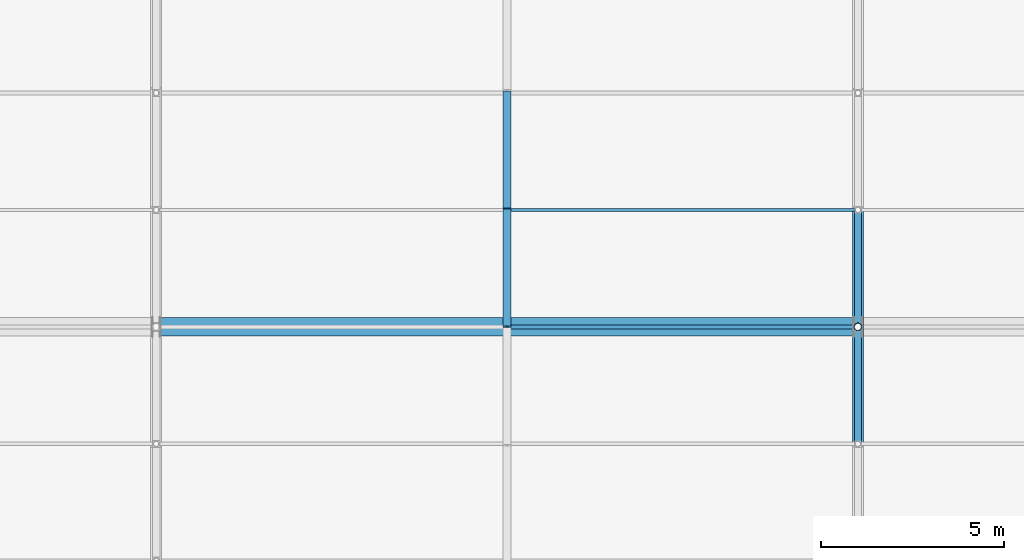
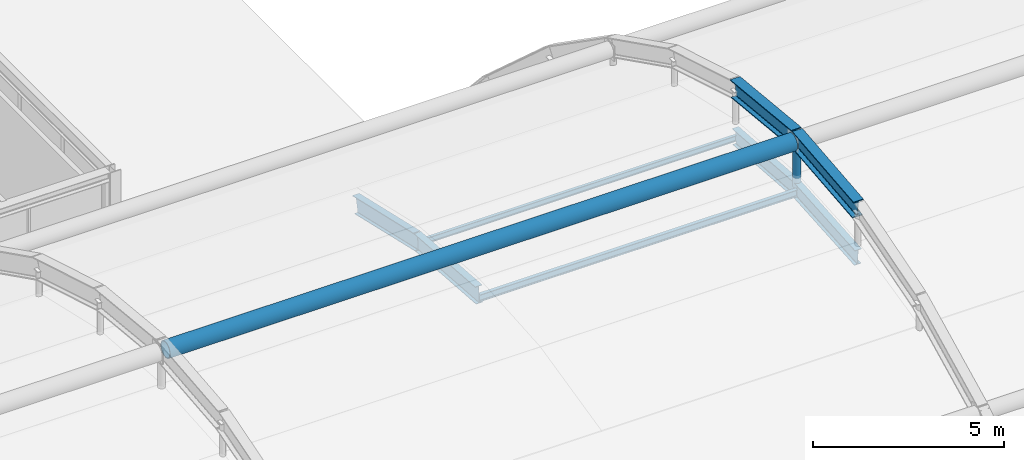
# One storey, part 62 of 126: 6 beams, 4 members.
"""IFC4 building model written with IfcOpenShell, lengths in metres."""

from ifc_helpers import new_model, si_unit, direction, frame, origin, origin_2d, place, context, subcontext, project, spatial, hollow_circle, i_section, extrude, material, material_profile, profile_set, type_object, element, save


model = new_model("IFC4")

# Units and contexts
model_context = context("Model", 3, precision=1e-05, world=origin(), true_north=direction((0.0, 1.0)))
body_context = subcontext(model_context, "Body", "Model", "MODEL_VIEW")
ifc_project = project(units=[si_unit("LENGTHUNIT", "METRE"), si_unit("AREAUNIT", "SQUARE_METRE"), si_unit("VOLUMEUNIT", "CUBIC_METRE"), si_unit("PLANEANGLEUNIT", "RADIAN"), si_unit("MASSUNIT", "GRAM", prefix="KILO")], contexts=[model_context])

# Site, building, storey
site_placement = place(None, origin())
site = spatial("IfcSite", under=ifc_project, at=site_placement, CompositionType="ELEMENT")
building_placement = place(site_placement, origin())
building = spatial("IfcBuilding", under=site, at=building_placement, Name="Coralgate Yard Interchange", CompositionType="ELEMENT")
storey_placement = place(building_placement, frame((0.0, 0.0, 10.5)))
storey = spatial("IfcBuildingStorey", under=building, at=storey_placement, Name="L02", CompositionType="ELEMENT", Elevation=10.5)

# Beams
ifc_material_1 = material(Name="Yellow-ochre weather-coated structural steel S355J2", Category="steel")
ifc_material_profile_1 = material_profile(ifc_material_1, i_section(OverallWidth=0.300048828125, OverallDepth=0.550048828125, WebThickness=0.014892578125, FlangeThickness=0.029052734375, FilletRadius=0.027099609375, at=origin_2d()), Name="HEB 550")
ifc_profile_set_1 = profile_set([ifc_material_profile_1], Name="Yellow-ochre weather-coated structural steel S355J2")
beam_type_1 = type_object("IfcBeamType", Name="BM-AR-2", PredefinedType="BEAM", material=ifc_profile_set_1)
beam_1_placement = place(storey_placement, frame((105.60009765625, 54.39990234375, 12.880615234375), z_axis=(0.0, 0.995058212944, 0.0992932669), x_axis=(-1.0, 0.0, 0.0)))
element("IfcBeam", 1, at=beam_1_placement, inside=storey, type_object=beam_type_1, Name="Yellow-ochre overarching steel arch AR-4 chord 7", PredefinedType="BEAM", context=body_context, shape_type="SweptSolid", body=[
    extrude(i_section(OverallWidth=0.300048828125, OverallDepth=0.550048828125, WebThickness=0.014892578125, FlangeThickness=0.029052734375, FilletRadius=0.027099609375, at=origin_2d()), origin(), (0.0, 0.0, 1.0), 3.216064453125),
])
beam_2_placement = place(storey_placement, frame((105.60009765625, 57.60009765625, 13.199951171875), z_axis=(0.0, 0.995057464429, -0.099300767794), x_axis=(-1.0, 0.0, 0.0)))
element("IfcBeam", 2, at=beam_2_placement, inside=storey, type_object=beam_type_1, Name="Yellow-ochre overarching steel arch AR-4 chord 8", PredefinedType="BEAM", context=body_context, shape_type="SweptSolid", body=[
    extrude(i_section(OverallWidth=0.300048828125, OverallDepth=0.550048828125, WebThickness=0.014892578125, FlangeThickness=0.029052734375, FilletRadius=0.027099609375, at=origin_2d()), origin(), (0.0, 0.0, 1.0), 3.2158203125),
])
ifc_material_2 = material(Name="Weather-coated structural steel S355J2", Category="steel")
ifc_material_profile_2 = material_profile(ifc_material_2, i_section(OverallWidth=0.209228515625, OverallDepth=0.533203125, WebThickness=0.010009765625, FlangeThickness=0.015625, FilletRadius=0.0126953125, at=origin_2d()), Name="UB 533x210x92")
ifc_profile_set_2 = profile_set([ifc_material_profile_2], Name="Weather-coated structural steel S355J2")
beam_type_2 = type_object("IfcBeamType", Name="BM-VR-1", PredefinedType="BEAM", material=ifc_profile_set_2)
beam_3_placement = place(storey_placement, frame((96.0, 57.60009765625, 11.558349609375), z_axis=(0.0, 0.997210788487, -0.074636742466), x_axis=(-1.0, 0.0, 0.0)))
element("IfcBeam", 3, at=beam_3_placement, inside=storey, type_object=beam_type_2, Name="Barrel-vault gridshell rib 7 seg 7", PredefinedType="BEAM", context=body_context, shape_type="SweptSolid", body=[
    extrude(i_section(OverallWidth=0.209228515625, OverallDepth=0.533203125, WebThickness=0.010009765625, FlangeThickness=0.015625, FilletRadius=0.0126953125, at=origin_2d()), origin(), (0.0, 0.0, 1.0), 3.208984375),
])
beam_4_placement = place(storey_placement, frame((96.0, 60.800048828125, 11.31884765625), z_axis=(0.0, 0.974597563071, -0.223963367664), x_axis=(-1.0, 0.0, 0.0)))
element("IfcBeam", 4, at=beam_4_placement, inside=storey, type_object=beam_type_2, Name="Barrel-vault gridshell rib 7 seg 8", PredefinedType="BEAM", context=body_context, shape_type="SweptSolid", body=[
    extrude(i_section(OverallWidth=0.209228515625, OverallDepth=0.533203125, WebThickness=0.010009765625, FlangeThickness=0.015625, FilletRadius=0.0126953125, at=origin_2d()), origin(), (0.0, 0.0, 1.0), 3.283447265625),
])
ifc_material_profile_3 = material_profile(ifc_material_2, i_section(OverallWidth=0.199951171875, OverallDepth=0.5, WebThickness=0.01025390625, FlangeThickness=0.01611328125, FilletRadius=0.02099609375, at=origin_2d()), Name="IPE 500")
ifc_profile_set_3 = profile_set([ifc_material_profile_3], Name="Weather-coated structural steel S355J2")
beam_type_3 = type_object("IfcBeamType", Name="BM-VR-2", PredefinedType="BEAM", material=ifc_profile_set_3)
beam_5_placement = place(storey_placement, frame((105.60009765625, 54.39990234375, 11.335205078125), z_axis=(0.0, 0.997211212266, 0.074631080198), x_axis=(-1.0, 0.0, 0.0)))
element("IfcBeam", 5, at=beam_5_placement, inside=storey, type_object=beam_type_3, Name="Barrel-vault gridshell rib 8 seg 6", PredefinedType="BEAM", context=body_context, shape_type="SweptSolid", body=[
    extrude(i_section(OverallWidth=0.199951171875, OverallDepth=0.5, WebThickness=0.01025390625, FlangeThickness=0.01611328125, FilletRadius=0.02099609375, at=origin_2d()), origin(), (0.0, 0.0, 1.0), 3.209228515625),
])
beam_6_placement = place(storey_placement, frame((105.60009765625, 57.60009765625, 11.57470703125), z_axis=(0.0, 0.997210788487, -0.074636742466), x_axis=(-1.0, 0.0, 0.0)))
element("IfcBeam", 6, at=beam_6_placement, inside=storey, type_object=beam_type_3, Name="Barrel-vault gridshell rib 8 seg 7", PredefinedType="BEAM", context=body_context, shape_type="SweptSolid", body=[
    extrude(i_section(OverallWidth=0.199951171875, OverallDepth=0.5, WebThickness=0.01025390625, FlangeThickness=0.01611328125, FilletRadius=0.02099609375, at=origin_2d()), origin(), (0.0, 0.0, 1.0), 3.208984375),
])

# Members
ifc_material_profile_4 = material_profile(ifc_material_1, hollow_circle(Radius=0.25390625, WallThickness=0.02001953125, at=origin_2d()), Name="CHS 508x20")
ifc_profile_set_4 = profile_set([ifc_material_profile_4], Name="Yellow-ochre weather-coated structural steel S355J2")
member_type_1 = type_object("IfcMemberType", Name="MB-GC-6", PredefinedType="CHORD", material=ifc_profile_set_4)
member_1_placement = place(storey_placement, frame((86.52001953125, 57.60009765625, 13.1201171875), z_axis=(1.0, 0.0, 0.0), x_axis=(0.0, 1.0, 0.0)))
element("IfcMember", 7, at=member_1_placement, inside=storey, type_object=member_type_1, Name="Arch longitudinal tie strut 3-C", PredefinedType="CHORD", context=body_context, shape_type="SweptSolid", body=[
    extrude(hollow_circle(Radius=0.25390625, WallThickness=0.02001953125, at=origin_2d()), origin(), (0.0, 0.0, 1.0), 18.9599609375),
])
ifc_material_profile_5 = material_profile(ifc_material_1, hollow_circle(Radius=0.109619140625, WallThickness=0.010009765625, at=origin_2d()), Name="CHS 219.1x10")
ifc_profile_set_5 = profile_set([ifc_material_profile_5], Name="Yellow-ochre weather-coated structural steel S355J2")
member_type_2 = type_object("IfcMemberType", Name="MB-HG-1", PredefinedType="STRUT", material=ifc_profile_set_5)
member_2_placement = place(storey_placement, frame((105.60009765625, 57.60009765625, 11.6748046875), z_axis=(0.0, 0.0, 1.0), x_axis=(1.0, 0.0, 0.0)))
element("IfcMember", 8, at=member_2_placement, inside=storey, type_object=member_type_2, Name="Arch AR-4 steel suspension hanger 6", PredefinedType="STRUT", context=body_context, shape_type="SweptSolid", body=[
    extrude(hollow_circle(Radius=0.109619140625, WallThickness=0.010009765625, at=origin_2d()), origin(), (0.0, 0.0, 1.0), 1.42529296875),
])
ifc_material_profile_6 = material_profile(ifc_material_2, i_section(OverallWidth=0.110107421875, OverallDepth=0.219970703125, WebThickness=0.005859375, FlangeThickness=0.00927734375, FilletRadius=0.011962890625, at=origin_2d()), Name="IPE 220")
ifc_profile_set_6 = profile_set([ifc_material_profile_6], Name="Weather-coated structural steel S355J2")
member_type_3 = type_object("IfcMemberType", Name="MB-PR-1", PredefinedType="PURLIN", material=ifc_profile_set_6)
member_3_placement = place(storey_placement, frame((96.001953125, 57.60009765625, 11.46484375), z_axis=(1.0, 0.0, 0.0), x_axis=(0.0, 1.0, 0.0)))
element("IfcMember", 9, at=member_3_placement, inside=storey, type_object=member_type_3, Name="Barrel-vault gridshell purlin 7-7", PredefinedType="PURLIN", context=body_context, shape_type="SweptSolid", body=[
    extrude(i_section(OverallWidth=0.110107421875, OverallDepth=0.219970703125, WebThickness=0.005859375, FlangeThickness=0.00927734375, FilletRadius=0.011962890625, at=origin_2d()), origin(), (0.0, 0.0, 1.0), 9.595947265625),
])
ifc_material_3 = material(Name="Off-white architectural structural steel S355J2", Category="steel")
ifc_material_profile_7 = material_profile(ifc_material_3, i_section(OverallWidth=0.091064453125, OverallDepth=0.179931640625, WebThickness=0.00537109375, FlangeThickness=0.008056640625, FilletRadius=0.009033203125, at=origin_2d()), Name="IPE 180")
ifc_profile_set_7 = profile_set([ifc_material_profile_7], Name="Off-white architectural structural steel S355J2")
member_type_4 = type_object("IfcMemberType", Name="MB-PR-2", PredefinedType="PURLIN", material=ifc_profile_set_7)
member_4_placement = place(storey_placement, frame((96.001953125, 60.800048828125, 11.265380859375), z_axis=(1.0, 0.0, 0.0), x_axis=(0.0, 1.0, 0.0)))
element("IfcMember", 10, at=member_4_placement, inside=storey, type_object=member_type_4, Name="Barrel-vault gridshell purlin 7-8", PredefinedType="PURLIN", context=body_context, shape_type="SweptSolid", body=[
    extrude(i_section(OverallWidth=0.091064453125, OverallDepth=0.179931640625, WebThickness=0.00537109375, FlangeThickness=0.008056640625, FilletRadius=0.009033203125, at=origin_2d()), origin(), (0.0, 0.0, 1.0), 9.595947265625),
])

save(model, "model.ifc")
